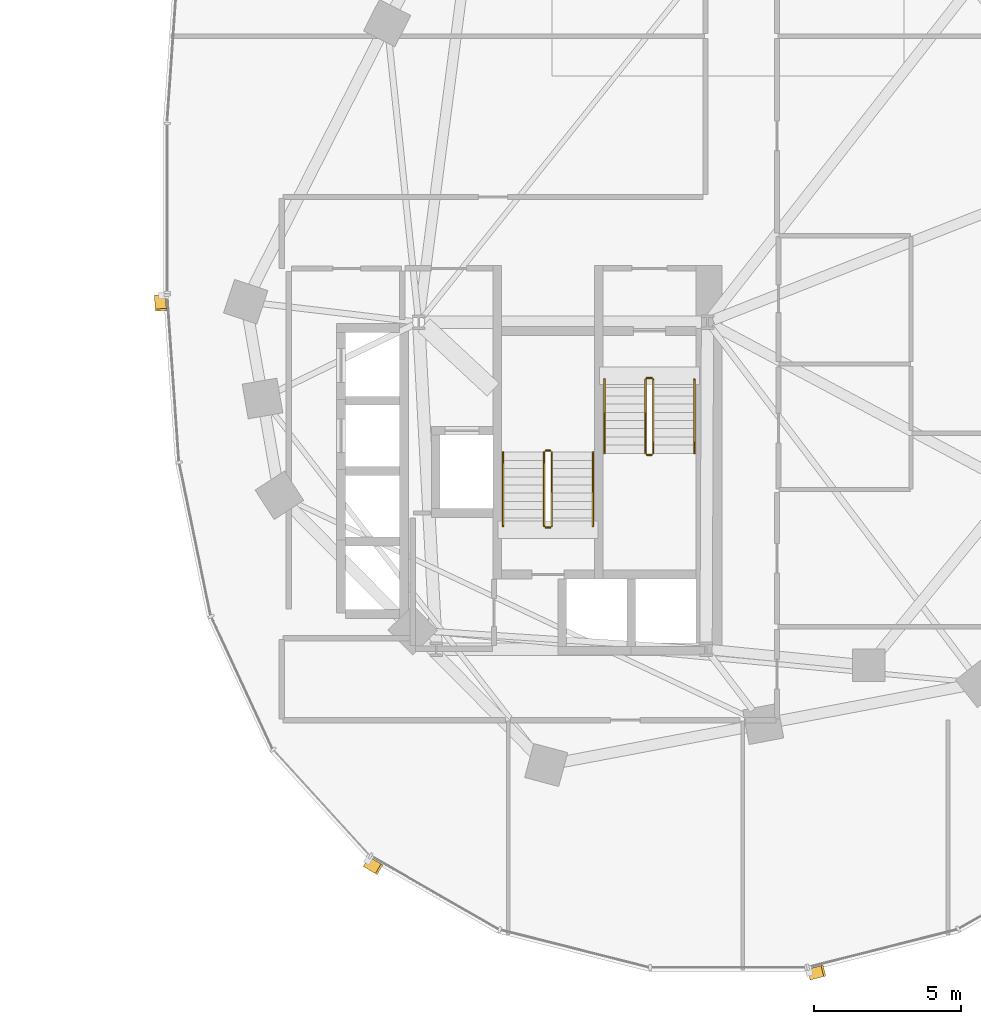
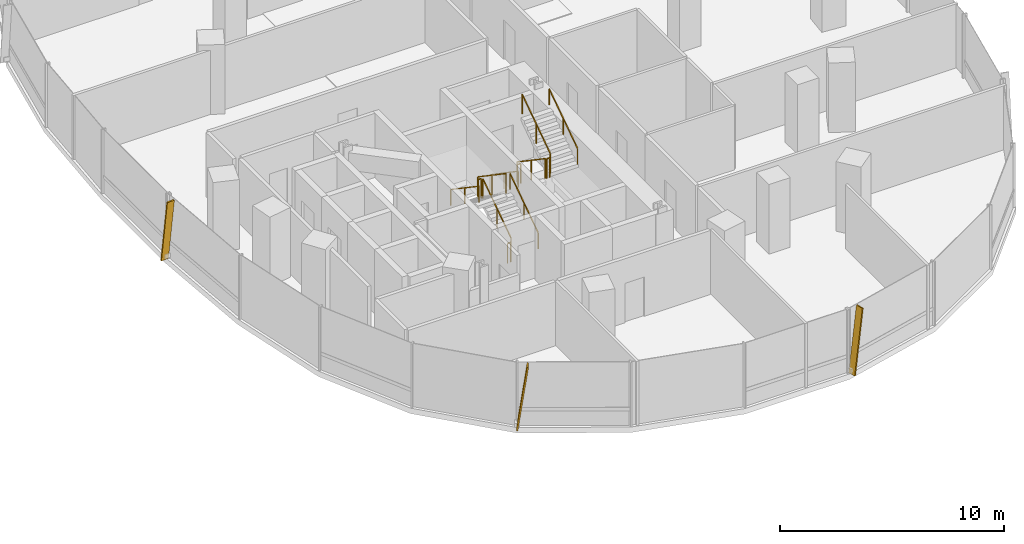
# One storey, part 20 of 21: 12 railings, 3 shading devices.
"""IFC4 building model written with IfcOpenShell, lengths in metres."""

from ifc_helpers import new_model, si_unit, direction, frame, origin, origin_2d, place, context, subcontext, project, spatial, rectangle, extrude, material, material_profile, profile_set, type_object, element, save


model = new_model("IFC4")

# Units and contexts
model_context = context("Model", 3, precision=1e-05, world=origin(), true_north=direction((0.0, 1.0)))
body_context = subcontext(model_context, "Body", "Model", "MODEL_VIEW")
ifc_project = project(units=[si_unit("LENGTHUNIT", "METRE"), si_unit("AREAUNIT", "SQUARE_METRE"), si_unit("VOLUMEUNIT", "CUBIC_METRE"), si_unit("PLANEANGLEUNIT", "RADIAN"), si_unit("MASSUNIT", "GRAM", prefix="KILO"), si_unit("THERMODYNAMICTEMPERATUREUNIT", "KELVIN"), si_unit("POWERUNIT", "WATT")], contexts=[model_context])

# Site, building, storey
site_placement = place(None, origin())
site = spatial("IfcSite", under=ifc_project, at=site_placement, CompositionType="ELEMENT")
building_placement = place(site_placement, origin())
building = spatial("IfcBuilding", under=site, at=building_placement, Name="Cundina Bronze Exchange", CompositionType="ELEMENT")
storey_placement = place(building_placement, frame((0.0, 0.0, 58.199951171875)))
storey = spatial("IfcBuildingStorey", under=building, at=storey_placement, Name="L14", CompositionType="ELEMENT", Elevation=58.199951171875)

# Railings
ifc_material_1 = material(Name="Steel ASTM A36 Painted", Category="steel")
railing_type_1 = type_object("IfcRailingType", Name="RLG-HND-900", PredefinedType="HANDRAIL", material=ifc_material_1)
railing_1_placement = place(storey_placement, frame((27.7900390625, -5.85009765625, 0.18994140625)))
element("IfcRailing", 1, at=railing_1_placement, inside=storey, type_object=railing_type_1, Name="L14 ST-E1 stair handrail 1", PredefinedType="HANDRAIL", context=body_context, shape_type="SweptSolid", body=[
    extrude(rectangle(XDim=0.048095703125, YDim=0.048095703125, at=origin_2d()), frame((0.0, 0.0, 0.8759765625), z_axis=(0.0, -0.82744650838, 0.561544544778), x_axis=(1.0, 0.0, 0.0)), (0.0, 0.0, 1.0), 3.045654296875),
    extrude(rectangle(XDim=0.0419921875, YDim=0.0419921875, at=origin_2d()), origin(), (0.0, 0.0, 1.0), 0.851806640625),
    extrude(rectangle(XDim=0.0419921875, YDim=0.0419921875, at=origin_2d()), frame((0.0, -1.260009765625, 0.85498046875)), (0.0, 0.0, 1.0), 0.851806640625),
    extrude(rectangle(XDim=0.0419921875, YDim=0.0419921875, at=origin_2d()), frame((0.0, -2.52001953125, 1.710205078125)), (0.0, 0.0, 1.0), 0.851806640625),
])
railing_2_placement = place(storey_placement, frame((30.85009765625, -8.3701171875, 2.090087890625)))
element("IfcRailing", 2, at=railing_2_placement, inside=storey, type_object=railing_type_1, Name="L14 ST-E1 stair handrail 2", PredefinedType="HANDRAIL", context=body_context, shape_type="SweptSolid", body=[
    extrude(rectangle(XDim=0.048095703125, YDim=0.048095703125, at=origin_2d()), frame((0.0, 0.0, 0.8759765625), z_axis=(0.0, 0.827483756001, 0.561489655786), x_axis=(-1.0, 0.0, 0.0)), (0.0, 0.0, 1.0), 3.04541015625),
    extrude(rectangle(XDim=0.0419921875, YDim=0.0419921875, at=origin_2d()), origin(), (0.0, 0.0, 1.0), 0.851806640625),
    extrude(rectangle(XDim=0.0419921875, YDim=0.0419921875, at=origin_2d()), frame((0.0, 1.260009765625, 0.85498046875)), (0.0, 0.0, 1.0), 0.851806640625),
    extrude(rectangle(XDim=0.0419921875, YDim=0.0419921875, at=origin_2d()), frame((0.0, 2.52001953125, 1.7099609375)), (0.0, 0.0, 1.0), 0.851806640625),
])
railing_3_placement = place(storey_placement, frame((27.389892578125, -10.85009765625, 0.18994140625)))
element("IfcRailing", 3, at=railing_3_placement, inside=storey, type_object=railing_type_1, Name="L14 ST-E2 stair handrail 1", PredefinedType="HANDRAIL", context=body_context, shape_type="SweptSolid", body=[
    extrude(rectangle(XDim=0.048095703125, YDim=0.048095703125, at=origin_2d()), frame((0.0, 0.0, 0.8759765625), z_axis=(0.0, 0.82744650838, 0.561544544778), x_axis=(-1.0, 0.0, 0.0)), (0.0, 0.0, 1.0), 3.045654296875),
    extrude(rectangle(XDim=0.0419921875, YDim=0.0419921875, at=origin_2d()), origin(), (0.0, 0.0, 1.0), 0.851806640625),
    extrude(rectangle(XDim=0.0419921875, YDim=0.0419921875, at=origin_2d()), frame((0.0, 1.260009765625, 0.85498046875)), (0.0, 0.0, 1.0), 0.851806640625),
    extrude(rectangle(XDim=0.0419921875, YDim=0.0419921875, at=origin_2d()), frame((0.0, 2.52001953125, 1.710205078125)), (0.0, 0.0, 1.0), 0.851806640625),
])
railing_4_placement = place(storey_placement, frame((24.330078125, -8.330078125, 2.090087890625)))
element("IfcRailing", 4, at=railing_4_placement, inside=storey, type_object=railing_type_1, Name="L14 ST-E2 stair handrail 2", PredefinedType="HANDRAIL", context=body_context, shape_type="SweptSolid", body=[
    extrude(rectangle(XDim=0.048095703125, YDim=0.048095703125, at=origin_2d()), frame((0.0, 0.0, 0.8759765625), z_axis=(0.0, -0.827483756001, 0.561489655786), x_axis=(1.0, 0.0, 0.0)), (0.0, 0.0, 1.0), 3.04541015625),
    extrude(rectangle(XDim=0.0419921875, YDim=0.0419921875, at=origin_2d()), origin(), (0.0, 0.0, 1.0), 0.851806640625),
    extrude(rectangle(XDim=0.0419921875, YDim=0.0419921875, at=origin_2d()), frame((0.0, -1.260009765625, 0.85498046875)), (0.0, 0.0, 1.0), 0.851806640625),
    extrude(rectangle(XDim=0.0419921875, YDim=0.0419921875, at=origin_2d()), frame((0.0, -2.52001953125, 1.7099609375)), (0.0, 0.0, 1.0), 0.851806640625),
])
railing_type_2 = type_object("IfcRailingType", Name="RLG-STG-1100", PredefinedType="GUARDRAIL", material=ifc_material_1)
railing_5_placement = place(storey_placement, frame((29.18994140625, -5.85009765625, 0.18994140625)))
element("IfcRailing", 5, at=railing_5_placement, inside=storey, type_object=railing_type_2, Name="L14 ST-E1 stair guard 1", PredefinedType="GUARDRAIL", context=body_context, shape_type="SweptSolid", body=[
    extrude(rectangle(XDim=0.048095703125, YDim=0.048095703125, at=origin_2d()), frame((0.0, 0.0, 1.076171875), z_axis=(0.0, -0.82744650838, 0.561544544778), x_axis=(1.0, 0.0, 0.0)), (0.0, 0.0, 1.0), 3.045654296875),
    extrude(rectangle(XDim=0.0419921875, YDim=0.0419921875, at=origin_2d()), origin(), (0.0, 0.0, 1.0), 1.052001953125),
    extrude(rectangle(XDim=0.0419921875, YDim=0.0419921875, at=origin_2d()), frame((0.0, -1.260009765625, 0.85498046875)), (0.0, 0.0, 1.0), 1.052001953125),
    extrude(rectangle(XDim=0.0419921875, YDim=0.0419921875, at=origin_2d()), frame((0.0, -2.52001953125, 1.710205078125)), (0.0, 0.0, 1.0), 1.052001953125),
])
railing_6_placement = place(storey_placement, frame((29.239990234375, -8.419921875, 1.900146484375)))
element("IfcRailing", 6, at=railing_6_placement, inside=storey, type_object=railing_type_2, Name="L14 ST-E1 stair guard 2", PredefinedType="GUARDRAIL", context=body_context, shape_type="SweptSolid", body=[
    extrude(rectangle(XDim=0.048095703125, YDim=0.048095703125, at=origin_2d()), frame((0.0, 0.0, 1.076171875), z_axis=(1.0, 0.0, 0.0), x_axis=(0.0, 1.0, 0.0)), (0.0, 0.0, 1.0), 0.159912109375),
    extrude(rectangle(XDim=0.0419921875, YDim=0.0419921875, at=origin_2d()), origin(), (0.0, 0.0, 1.0), 1.052001953125),
    extrude(rectangle(XDim=0.0419921875, YDim=0.0419921875, at=origin_2d()), frame((0.159912109375, 0.0, 0.0)), (0.0, 0.0, 1.0), 1.052001953125),
])
railing_7_placement = place(storey_placement, frame((29.449951171875, -8.3701171875, 2.090087890625)))
element("IfcRailing", 7, at=railing_7_placement, inside=storey, type_object=railing_type_2, Name="L14 ST-E1 stair guard 3", PredefinedType="GUARDRAIL", context=body_context, shape_type="SweptSolid", body=[
    extrude(rectangle(XDim=0.048095703125, YDim=0.048095703125, at=origin_2d()), frame((0.0, 0.0, 1.076171875), z_axis=(0.0, 0.827483756001, 0.561489655786), x_axis=(-1.0, 0.0, 0.0)), (0.0, 0.0, 1.0), 3.04541015625),
    extrude(rectangle(XDim=0.0419921875, YDim=0.0419921875, at=origin_2d()), origin(), (0.0, 0.0, 1.0), 1.052001953125),
    extrude(rectangle(XDim=0.0419921875, YDim=0.0419921875, at=origin_2d()), frame((0.0, 1.260009765625, 0.85498046875)), (0.0, 0.0, 1.0), 1.052001953125),
    extrude(rectangle(XDim=0.0419921875, YDim=0.0419921875, at=origin_2d()), frame((0.0, 2.52001953125, 1.7099609375)), (0.0, 0.0, 1.0), 1.052001953125),
])
railing_8_placement = place(storey_placement, frame((29.239990234375, -5.800048828125, 0.0)))
element("IfcRailing", 8, at=railing_8_placement, inside=storey, type_object=railing_type_2, Name="L14 ST-E1 stair guard 4", PredefinedType="GUARDRAIL", context=body_context, shape_type="SweptSolid", body=[
    extrude(rectangle(XDim=0.048095703125, YDim=0.048095703125, at=origin_2d()), frame((0.0, 0.0, 1.076171875), z_axis=(1.0, 0.0, 0.0), x_axis=(0.0, 1.0, 0.0)), (0.0, 0.0, 1.0), 0.159912109375),
    extrude(rectangle(XDim=0.0419921875, YDim=0.0419921875, at=origin_2d()), origin(), (0.0, 0.0, 1.0), 1.052001953125),
    extrude(rectangle(XDim=0.0419921875, YDim=0.0419921875, at=origin_2d()), frame((0.159912109375, 0.0, 0.0)), (0.0, 0.0, 1.0), 1.052001953125),
])
railing_9_placement = place(storey_placement, frame((25.989990234375, -10.85009765625, 0.18994140625)))
element("IfcRailing", 9, at=railing_9_placement, inside=storey, type_object=railing_type_2, Name="L14 ST-E2 stair guard 1", PredefinedType="GUARDRAIL", context=body_context, shape_type="SweptSolid", body=[
    extrude(rectangle(XDim=0.048095703125, YDim=0.048095703125, at=origin_2d()), frame((0.0, 0.0, 1.076171875), z_axis=(0.0, 0.82744650838, 0.561544544778), x_axis=(-1.0, 0.0, 0.0)), (0.0, 0.0, 1.0), 3.045654296875),
    extrude(rectangle(XDim=0.0419921875, YDim=0.0419921875, at=origin_2d()), origin(), (0.0, 0.0, 1.0), 1.052001953125),
    extrude(rectangle(XDim=0.0419921875, YDim=0.0419921875, at=origin_2d()), frame((0.0, 1.260009765625, 0.85498046875)), (0.0, 0.0, 1.0), 1.052001953125),
    extrude(rectangle(XDim=0.0419921875, YDim=0.0419921875, at=origin_2d()), frame((0.0, 2.52001953125, 1.710205078125)), (0.0, 0.0, 1.0), 1.052001953125),
])
railing_10_placement = place(storey_placement, frame((25.93994140625, -8.280029296875, 1.900146484375)))
element("IfcRailing", 10, at=railing_10_placement, inside=storey, type_object=railing_type_2, Name="L14 ST-E2 stair guard 2", PredefinedType="GUARDRAIL", context=body_context, shape_type="SweptSolid", body=[
    extrude(rectangle(XDim=0.048095703125, YDim=0.048095703125, at=origin_2d()), frame((0.0, 0.0, 1.076171875), z_axis=(-1.0, 0.0, 0.0), x_axis=(0.0, -1.0, 0.0)), (0.0, 0.0, 1.0), 0.159912109375),
    extrude(rectangle(XDim=0.0419921875, YDim=0.0419921875, at=origin_2d()), origin(), (0.0, 0.0, 1.0), 1.052001953125),
    extrude(rectangle(XDim=0.0419921875, YDim=0.0419921875, at=origin_2d()), frame((-0.159912109375, 0.0, 0.0)), (0.0, 0.0, 1.0), 1.052001953125),
])
railing_11_placement = place(storey_placement, frame((25.72998046875, -8.330078125, 2.090087890625)))
element("IfcRailing", 11, at=railing_11_placement, inside=storey, type_object=railing_type_2, Name="L14 ST-E2 stair guard 3", PredefinedType="GUARDRAIL", context=body_context, shape_type="SweptSolid", body=[
    extrude(rectangle(XDim=0.048095703125, YDim=0.048095703125, at=origin_2d()), frame((0.0, 0.0, 1.076171875), z_axis=(0.0, -0.827483756001, 0.561489655786), x_axis=(1.0, 0.0, 0.0)), (0.0, 0.0, 1.0), 3.04541015625),
    extrude(rectangle(XDim=0.0419921875, YDim=0.0419921875, at=origin_2d()), origin(), (0.0, 0.0, 1.0), 1.052001953125),
    extrude(rectangle(XDim=0.0419921875, YDim=0.0419921875, at=origin_2d()), frame((0.0, -1.260009765625, 0.85498046875)), (0.0, 0.0, 1.0), 1.052001953125),
    extrude(rectangle(XDim=0.0419921875, YDim=0.0419921875, at=origin_2d()), frame((0.0, -2.52001953125, 1.7099609375)), (0.0, 0.0, 1.0), 1.052001953125),
])
railing_12_placement = place(storey_placement, frame((25.93994140625, -10.89990234375, 0.0)))
element("IfcRailing", 12, at=railing_12_placement, inside=storey, type_object=railing_type_2, Name="L14 ST-E2 stair guard 4", PredefinedType="GUARDRAIL", context=body_context, shape_type="SweptSolid", body=[
    extrude(rectangle(XDim=0.048095703125, YDim=0.048095703125, at=origin_2d()), frame((0.0, 0.0, 1.076171875), z_axis=(-1.0, 0.0, 0.0), x_axis=(0.0, -1.0, 0.0)), (0.0, 0.0, 1.0), 0.159912109375),
    extrude(rectangle(XDim=0.0419921875, YDim=0.0419921875, at=origin_2d()), origin(), (0.0, 0.0, 1.0), 1.052001953125),
    extrude(rectangle(XDim=0.0419921875, YDim=0.0419921875, at=origin_2d()), frame((-0.159912109375, 0.0, 0.0)), (0.0, 0.0, 1.0), 1.052001953125),
])

# Shading devices
ifc_material_2 = material(Name="Anodised Bronze Aluminium 6063-T6", Category="aluminium")
ifc_material_profile = material_profile(ifc_material_2, rectangle(XDim=0.070068359375, YDim=0.3798828125, at=origin_2d()), Name="FIN70X380", Category="aluminium")
ifc_profile_set = profile_set([ifc_material_profile], Name="Anodised Bronze Aluminium 6063-T6")
shading_device_type = type_object("IfcShadingDeviceType", Name="SHD-FIN-BRZ380", PredefinedType="USERDEFINED", material=ifc_profile_set)
for number, where, z_axis, x_axis, name in (
    (13, (12.6259765625, -2.993896484375, 0.02001953125), (0.009645159174, -0.137059109714, 0.990515911709), (-0.06953288269, 0.988072340253, 0.137398066402), "L14 Diagonal Bronze Solar Fin 1"),
    (14, (19.685791015625, -22.314208984375, 0.02001953125), (0.119166378275, -0.06842456559, 0.990513731915), (-0.85898178632, 0.493221799887, 0.137413779831), "L14 Diagonal Bronze Solar Fin 5"),
    (15, (34.787353515625, -26.138427734375, 0.02001953125), (0.133214830938, 0.033688115694, 0.990514472221), (-0.960284642503, -0.242842181368, 0.137408443412), "L14 Diagonal Bronze Solar Fin 1"),
):
    element("IfcShadingDevice", number, at=place(storey_placement, frame(where, z_axis=z_axis, x_axis=x_axis)), inside=storey, type_object=shading_device_type, Name=name, ObjectType="FIN", PredefinedType="USERDEFINED", context=body_context, shape_type="SweptSolid", body=[
        extrude(rectangle(XDim=0.070068359375, YDim=0.3798828125, at=origin_2d()), origin(), (0.0, 0.0, 1.0), 3.4931640625),
    ])

save(model, "model.ifc")
